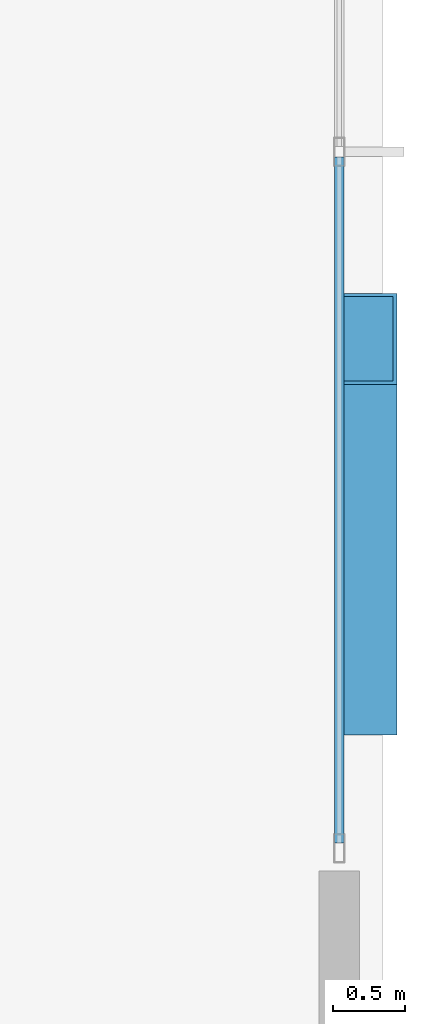
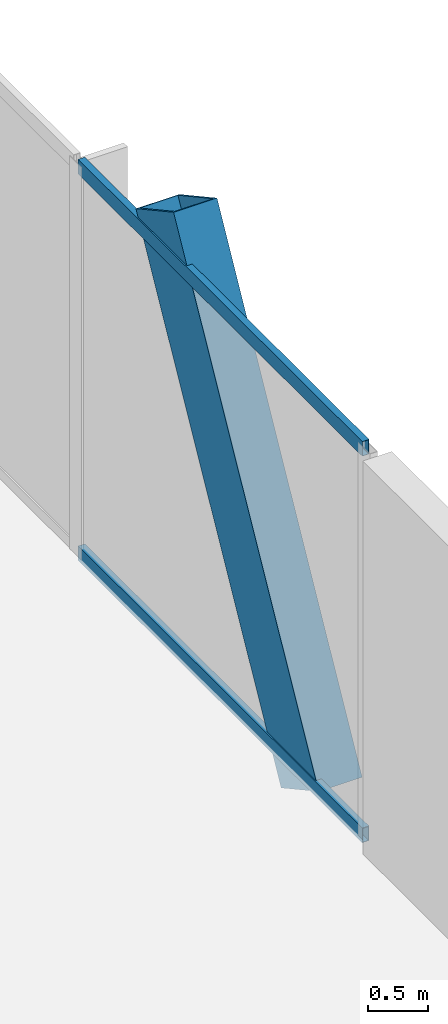
# One storey, part 29 of 42: 3 members, 1 element without a shape of its own.
"""IFC4 building model written with IfcOpenShell, lengths in metres."""

from ifc_helpers import new_model, si_unit, direction, frame, origin, origin_2d, place, context, subcontext, project, spatial, hollow_rectangle, extrude, material, layer, layer_set, material_profile, profile_set, type_object, element, aggregate, save


model = new_model("IFC4")

# Units and contexts
model_context = context("Model", 3, precision=1e-05, world=origin(), true_north=direction((0.0, 1.0)))
body_context = subcontext(model_context, "Body", "Model", "MODEL_VIEW")
ifc_project = project(units=[si_unit("LENGTHUNIT", "METRE"), si_unit("AREAUNIT", "SQUARE_METRE"), si_unit("VOLUMEUNIT", "CUBIC_METRE"), si_unit("PLANEANGLEUNIT", "RADIAN"), si_unit("MASSUNIT", "GRAM", prefix="KILO")], contexts=[model_context])

# Site, building, storey
site_placement = place(None, origin())
site = spatial("IfcSite", under=ifc_project, at=site_placement, CompositionType="ELEMENT")
building_placement = place(site_placement, origin())
building = spatial("IfcBuilding", under=site, at=building_placement, Name="Orvanel Arch Residences", CompositionType="ELEMENT")
storey_placement = place(building_placement, frame((0.0, 0.0, 9.800048828125)))
storey = spatial("IfcBuildingStorey", under=building, at=storey_placement, Name="L02", CompositionType="ELEMENT", Elevation=9.800048828125)

# Member
ifc_material_1 = material(Name="Structural steel AS/NZS 3678 Grade 350", Category="steel")
ifc_material_profile_1 = material_profile(ifc_material_1, hollow_rectangle(XDim=0.419921875, YDim=0.719970703125, WallThickness=0.02490234375, at=origin_2d()), Name="RHS720x420x25")
ifc_profile_set_1 = profile_set([ifc_material_profile_1], Name="Structural steel AS/NZS 3678 Grade 350")
member_type_1 = type_object("IfcMemberType", Name="BR-720RHS-EXT", PredefinedType="BRACE", material=ifc_profile_set_1)
member_1_placement = place(storey_placement, frame((64.639892578125, 45.781005859375, -0.150146484375), z_axis=(0.0, 0.480018403674, 0.877258418104), x_axis=(-1.0, 0.0, 0.0)))
element("IfcMember", 1, at=member_1_placement, inside=storey, type_object=member_type_1, Name="L02 Podium Multi-Storey V-Strut Pair E2 Leg 2", PredefinedType="BRACE", context=body_context, shape_type="SweptSolid", body=[
    extrude(hollow_rectangle(XDim=0.419921875, YDim=0.719970703125, WallThickness=0.02490234375, at=origin_2d()), origin(), (0.0, 0.0, 1.0), 5.07275390625),
])

# Curtain wall, members
ifc_material_2 = material(Name="Bronze-anodised aluminium AA6063-T6", Category="aluminium")
ifc_layer = layer(ifc_material_2, 0.199951171875)
ifc_layer_set = layer_set([ifc_layer], Name="Bronze-anodised aluminium AA6063-T6")
curtain_wall_type = type_object("IfcCurtainWallType", Name="CW1-POD-SYS", PredefinedType="NOTDEFINED", material=ifc_layer_set)
curtain_wall_placement = place(storey_placement, origin())
curtain_wall = element("IfcCurtainWall", 2, at=curtain_wall_placement, inside=storey, type_object=curtain_wall_type, Name="L02 CW1-POD-SYS Unitised Curtain Wall", PredefinedType="NOTDEFINED")
ifc_material_profile_2 = material_profile(ifc_material_2, hollow_rectangle(XDim=0.06494140625, YDim=0.14990234375, WallThickness=0.00390625, at=origin_2d()), Name="ALU150x65x4")
ifc_profile_set_2 = profile_set([ifc_material_profile_2], Name="Bronze-anodised aluminium AA6063-T6")
member_type_2 = type_object("IfcMemberType", Name="TRN-150x65", PredefinedType="USERDEFINED", material=ifc_profile_set_2)
member_2_placement = place(storey_placement, frame((64.449951171875, 44.715087890625, 0.032470703125), z_axis=(0.0, 1.0, 0.0), x_axis=(-1.0, 0.0, 0.0)))
member_2 = element("IfcMember", 3, at=member_2_placement, type_object=member_type_2, Name="CW-S1 transom 1.1", ObjectType="TRANSOM", PredefinedType="USERDEFINED", context=body_context, shape_type="SweptSolid", body=[
    extrude(hollow_rectangle(XDim=0.06494140625, YDim=0.14990234375, WallThickness=0.00390625, at=origin_2d()), origin(), (0.0, 0.0, 1.0), 4.762451171875),
])
member_3_placement = place(storey_placement, frame((64.449951171875, 44.715087890625, 3.987548828125), z_axis=(0.0, 1.0, 0.0), x_axis=(-1.0, 0.0, 0.0)))
member_3 = element("IfcMember", 4, at=member_3_placement, type_object=member_type_2, Name="CW-S1 transom 1.2", ObjectType="TRANSOM", PredefinedType="USERDEFINED", context=body_context, shape_type="SweptSolid", body=[
    extrude(hollow_rectangle(XDim=0.06494140625, YDim=0.14990234375, WallThickness=0.00390625, at=origin_2d()), origin(), (0.0, 0.0, 1.0), 4.762451171875),
])
aggregate(curtain_wall, [member_2, member_3])

save(model, "model.ifc")
